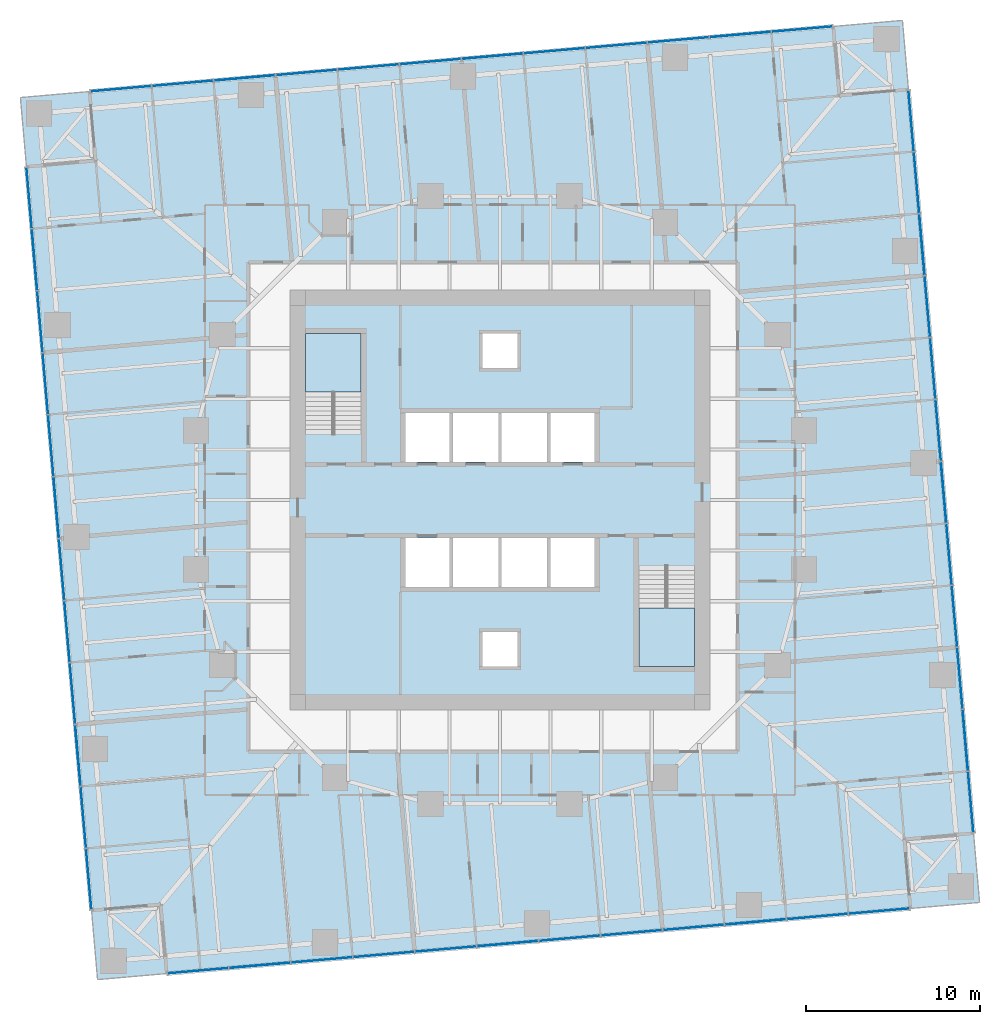
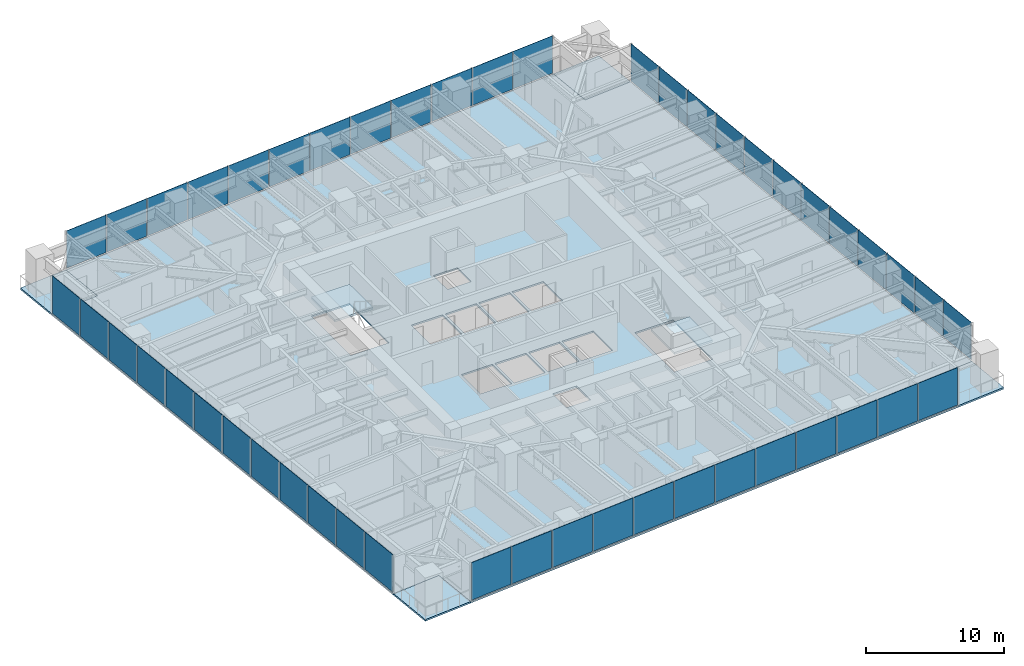
# One storey, part 7 of 14: 48 plates, 7 slabs, 6 elements without a shape of their own.
"""IFC4 building model written with IfcOpenShell, lengths in metres."""

import ifcopenshell
import ifcopenshell.guid

model = None  # the IFC model being written
_history = None  # IfcOwnerHistory: only IFC2X3 demands one
_inside = {}  # id of a spatial element -> (the spatial element, [elements in it])
_under = {}  # id of a project, library or spatial element -> (it, [spatial elements below it])
_declared = {}  # id of a project -> (the project, [libraries it declares])
_typed = {}  # id of a type object -> (the type object, [elements of that type])
_made_of = {}  # id of a material, layer set ... -> (it, [elements and type objects made of it])


def new_model(schema):
    """Start an empty IFC model of exactly this schema.

    Asked for "IFC4X3", IfcOpenShell would pick the latest addendum, in which some entities
    have other attributes; the version numbers below select the first issue.
    IFC2X3 requires an IfcOwnerHistory on every rooted entity: one is made here for all.
    """
    global model, _history
    if schema == "IFC4X3":
        model = ifcopenshell.file(schema_version=(4, 3, 0, 0))
    else:
        model = ifcopenshell.file(schema=schema)
    _inside.clear()
    _under.clear()
    _declared.clear()
    _typed.clear()
    _made_of.clear()
    _history = None
    if model.schema == "IFC2X3":
        org = make("IfcOrganization", Name="unknown")
        user = make(
            "IfcPersonAndOrganization",
            ThePerson=make("IfcPerson", FamilyName="unknown"),
            TheOrganization=org,
        )
        app = make(
            "IfcApplication",
            ApplicationDeveloper=org,
            Version="unknown",
            ApplicationFullName="unknown",
            ApplicationIdentifier="unknown",
        )
        _history = make(
            "IfcOwnerHistory",
            OwningUser=user,
            OwningApplication=app,
            ChangeAction="ADDED",
            CreationDate=0,
        )
    return model


def make(cls, **values):
    """One entity of the class cls with the attributes given. An attribute that is None is left unset."""
    return model.create_entity(
        cls, **{name: value for name, value in values.items() if value is not None}
    )


def rooted(cls, **values):
    """An entity with a GlobalId (a new one), such as an element, a storey or a relation."""
    return make(cls, GlobalId=ifcopenshell.guid.new(), OwnerHistory=_history, **values)


def si_unit(unit_type, name, prefix=None):
    """IfcSIUnit, for example si_unit("LENGTHUNIT", "METRE", prefix="MILLI")."""
    return make("IfcSIUnit", UnitType=unit_type, Prefix=prefix, Name=name)


def assignment(units):
    """IfcUnitAssignment: the units of a project."""
    return None if units is None else make("IfcUnitAssignment", Units=units)


def point(xyz):
    """IfcCartesianPoint."""
    return None if xyz is None else make("IfcCartesianPoint", Coordinates=xyz)


def direction(xyz):
    """IfcDirection."""
    return None if xyz is None else make("IfcDirection", DirectionRatios=xyz)


def frame(location, z_axis=None, x_axis=None):
    """IfcAxis2Placement3D, a coordinate frame: its origin and axes. An axis left out is left unset."""
    return make(
        "IfcAxis2Placement3D",
        Location=point(location),
        Axis=direction(z_axis),
        RefDirection=direction(x_axis),
    )


def frame_2d(location, x_axis=None):
    """IfcAxis2Placement2D, a coordinate frame in the plane: its origin and x axis."""
    return make(
        "IfcAxis2Placement2D", Location=point(location), RefDirection=direction(x_axis)
    )


def origin():
    """The frame at (0, 0, 0) with its axes left unset."""
    return frame((0.0, 0.0, 0.0))


def origin_2d():
    """The frame at (0, 0) in the plane with its x axis left unset."""
    return frame_2d((0.0, 0.0))


def place(relative_to, where):
    """IfcLocalPlacement: puts the frame where relative to a parent placement (None: the world)."""
    return make(
        "IfcLocalPlacement", PlacementRelTo=relative_to, RelativePlacement=where
    )


def context(
    kind, dimensions, precision=None, world=None, true_north=None, identifier=None
):
    """IfcGeometricRepresentationContext, for example the 3D "Model" context."""
    return make(
        "IfcGeometricRepresentationContext",
        ContextIdentifier=identifier,
        ContextType=kind,
        CoordinateSpaceDimension=dimensions,
        Precision=precision,
        WorldCoordinateSystem=world,
        TrueNorth=true_north,
    )


def subcontext(parent, identifier, kind, view, scale=None):
    """IfcGeometricRepresentationSubContext, for example "Body" below "Model"."""
    return make(
        "IfcGeometricRepresentationSubContext",
        ContextIdentifier=identifier,
        ContextType=kind,
        ParentContext=parent,
        TargetScale=scale,
        TargetView=view,
    )


def project(units=None, contexts=None):
    """IfcProject with its units and contexts."""
    return rooted(
        "IfcProject",
        Name="project",
        RepresentationContexts=contexts,
        UnitsInContext=assignment(units),
    )


def spatial(cls, under=None, at=None, **own):
    """A site, building, storey or space (cls), placed at a placement, below another one or the project."""
    s = rooted(cls, ObjectPlacement=at, **own)
    if under is not None:
        _under.setdefault(under.id(), (under, []))[1].append(s)
    return s


def polyline(points):
    """IfcPolyline through the points."""
    return make("IfcPolyline", Points=[point(p) for p in points])


def profile(cls, at=None, kind="AREA", **sizes):
    """A parametric profile (cls). Its sizes go by their IFC names, for example OverallWidth=200.0."""
    return make(cls, ProfileType=kind, Position=at, **sizes)


def rectangle(**sizes):
    """IfcRectangleProfileDef."""
    return profile("IfcRectangleProfileDef", **sizes)


def outline(outer, holes=None, kind="AREA"):
    """IfcArbitraryClosedProfileDef: a profile drawn as a closed curve; with holes, ...WithVoids."""
    if holes is None:
        return make("IfcArbitraryClosedProfileDef", ProfileType=kind, OuterCurve=outer)
    return make(
        "IfcArbitraryProfileDefWithVoids",
        ProfileType=kind,
        OuterCurve=outer,
        InnerCurves=holes,
    )


def extrude(swept, where, along, depth):
    """IfcExtrudedAreaSolid: the profile swept, set in the frame where, extruded along a direction by depth."""
    return make(
        "IfcExtrudedAreaSolid",
        SweptArea=swept,
        Position=where,
        ExtrudedDirection=direction(along),
        Depth=depth,
    )


def shape(context_of_items, identifier, shape_type, items):
    """IfcShapeRepresentation: the items that make up one representation, for example the "Body"."""
    return make(
        "IfcShapeRepresentation",
        ContextOfItems=context_of_items,
        RepresentationIdentifier=identifier,
        RepresentationType=shape_type,
        Items=items,
    )


def material(Name=None, Category=None):
    """IfcMaterial."""
    return make("IfcMaterial", Name=Name, Category=Category)


def layer(
    of_material, thickness, ventilated=None, Name=None, Category=None, Priority=None
):
    """IfcMaterialLayer: one layer of a wall or slab, of a material (None: an air gap)."""
    return make(
        "IfcMaterialLayer",
        Material=of_material,
        LayerThickness=thickness,
        IsVentilated=ventilated,
        Name=Name,
        Category=Category,
        Priority=Priority,
    )


def layer_set(layers, Name=None):
    """IfcMaterialLayerSet."""
    return make("IfcMaterialLayerSet", MaterialLayers=layers, LayerSetName=Name)


def made_of(thing, what):
    """Note that an element or type object is made of a material, layer set ...; save() writes the relation."""
    if what is not None:
        _made_of.setdefault(what.id(), (what, []))[1].append(thing)
    return thing


def type_object(cls, material=None, **own):
    """A type object (cls), such as IfcWallType, which elements share."""
    return made_of(rooted(cls, **own), material)


def element(
    cls,
    number,
    at=None,
    inside=None,
    cuts=None,
    type_object=None,
    material=None,
    context=None,
    identifier="Body",
    shape_type=None,
    held_by="IfcProductDefinitionShape",
    body=None,
    shapes=None,
    **own,
):
    """One element of the class cls, such as IfcWall. Its Tag is "e" and its number.

    at: its placement. inside: the storey or other place that contains it. cuts: it is an
    opening in that element (IfcRelVoidsElement). A single representation is given by context,
    identifier, shape_type and body (its items); several are given by shapes. held_by: the class
    of the entity that holds the representations. save() writes the other relations.
    """
    e = rooted(cls, Tag="e%d" % number, ObjectPlacement=at, **own)
    if body is not None:
        shapes = [shape(context, identifier, shape_type, body)]
    if shapes is not None:
        e.Representation = make(held_by, Representations=shapes)
    if inside is not None:
        _inside.setdefault(inside.id(), (inside, []))[1].append(e)
    if cuts is not None:
        rooted(
            "IfcRelVoidsElement", RelatingBuildingElement=cuts, RelatedOpeningElement=e
        )
    if type_object is not None:
        _typed.setdefault(type_object.id(), (type_object, []))[1].append(e)
    return made_of(e, material)


def aggregate(whole, parts):
    """IfcRelAggregates: a whole, such as a stair, and the parts it consists of."""
    return rooted("IfcRelAggregates", RelatingObject=whole, RelatedObjects=parts)


def save(model, path):
    """Write the relations noted so far, then the file.

    IfcRelAggregates (storeys below a building ...), IfcRelContainedInSpatialStructure (elements
    in a storey), IfcRelDefinesByType, IfcRelAssociatesMaterial and IfcRelDeclares: one each for
    every whole, place, type object, material and project.
    """
    for whole, parts in _under.values():
        aggregate(whole, parts)
    for where, things in _inside.values():
        rooted(
            "IfcRelContainedInSpatialStructure",
            RelatedElements=things,
            RelatingStructure=where,
        )
    for kind, things in _typed.values():
        rooted("IfcRelDefinesByType", RelatedObjects=things, RelatingType=kind)
    for what, things in _made_of.values():
        rooted("IfcRelAssociatesMaterial", RelatedObjects=things, RelatingMaterial=what)
    for by, libraries in _declared.values():
        rooted("IfcRelDeclares", RelatingContext=by, RelatedDefinitions=libraries)
    model.write(path)


model = new_model("IFC4")

# Units and contexts
model_context = context("Model", 3, precision=1e-05, world=origin(), true_north=direction((0.0, 1.0)))
body_context = subcontext(model_context, "Body", "Model", "MODEL_VIEW")
ifc_project = project(units=[si_unit("LENGTHUNIT", "METRE"), si_unit("AREAUNIT", "SQUARE_METRE"), si_unit("VOLUMEUNIT", "CUBIC_METRE"), si_unit("PLANEANGLEUNIT", "RADIAN"), si_unit("MASSUNIT", "GRAM", prefix="KILO")], contexts=[model_context])

# Site, building, storey
site_placement = place(None, origin())
site = spatial("IfcSite", under=ifc_project, at=site_placement, CompositionType="ELEMENT")
building_placement = place(site_placement, origin())
building = spatial("IfcBuilding", under=site, at=building_placement, Name="Torsade Residences", CompositionType="ELEMENT")
storey_placement = place(building_placement, frame((0.0, 0.0, 47.199951171875)))
storey = spatial("IfcBuildingStorey", under=building, at=storey_placement, Name="L12", CompositionType="ELEMENT", Elevation=47.199951171875)

# Slab
ifc_material_1 = material(Name="Concrete 40 MPa", Category="concrete")
ifc_layer_1 = layer(ifc_material_1, 0.14990234375)
ifc_layer_set_1 = layer_set([ifc_layer_1], Name="Concrete 40 MPa")
slab_type_1 = type_object("IfcSlabType", Name="COMPOSITE FLOOR SLAB 150", PredefinedType="FLOOR", material=ifc_layer_set_1)
slab_1_placement = place(storey_placement, frame((0.0, 0.0, -0.14990234375)))
element("IfcSlab", 1, at=slab_1_placement, inside=storey, type_object=slab_type_1, Name="Floor slab L12", PredefinedType="FLOOR", context=body_context, shape_type="SweptSolid", body=[
    extrude(outline(polyline([(20.80419921875, 2.72314453125), (63.640625, 6.470947265625), (63.2919921875, 10.45556640625), (67.27685546875, 10.80419921875), (63.529052734375, 53.640625), (59.54443359375, 53.2919921875), (59.19580078125, 57.27685546875), (16.359375, 53.529052734375), (16.7080078125, 49.54443359375), (12.72314453125, 49.19580078125), (16.470947265625, 6.359375), (20.45556640625, 6.7080078125), (20.80419921875, 2.72314453125)]), holes=[polyline([(51.199951171875, 20.39990234375), (51.199951171875, 26.1201171875), (48.0, 26.1201171875), (48.0, 20.39990234375), (51.199951171875, 20.39990234375)]), polyline([(45.5, 27.800048828125), (42.89990234375, 27.800048828125), (42.89990234375, 25.0), (45.5, 25.0), (45.5, 27.800048828125)]), polyline([(45.5, 32.199951171875), (45.5, 35.0), (42.89990234375, 35.0), (42.89990234375, 32.199951171875), (45.5, 32.199951171875)]), polyline([(42.699951171875, 25.0), (42.699951171875, 27.800048828125), (40.10009765625, 27.800048828125), (40.10009765625, 25.0), (42.699951171875, 25.0)]), polyline([(42.699951171875, 32.199951171875), (42.699951171875, 35.0), (40.10009765625, 35.0), (40.10009765625, 32.199951171875), (42.699951171875, 32.199951171875)]), polyline([(41.0, 22.39990234375), (39.0, 22.39990234375), (39.0, 20.39990234375), (41.0, 20.39990234375), (41.0, 22.39990234375)]), polyline([(41.0, 37.60009765625), (41.0, 39.60009765625), (39.0, 39.60009765625), (39.0, 37.60009765625), (41.0, 37.60009765625)]), polyline([(39.89990234375, 25.0), (39.89990234375, 27.800048828125), (37.300048828125, 27.800048828125), (37.300048828125, 25.0), (39.89990234375, 25.0)]), polyline([(39.89990234375, 35.0), (37.300048828125, 35.0), (37.300048828125, 32.199951171875), (39.89990234375, 32.199951171875), (39.89990234375, 35.0)]), polyline([(37.10009765625, 27.800048828125), (34.5, 27.800048828125), (34.5, 25.0), (37.10009765625, 25.0), (37.10009765625, 27.800048828125)]), polyline([(37.10009765625, 32.199951171875), (37.10009765625, 35.0), (34.5, 35.0), (34.5, 32.199951171875), (37.10009765625, 32.199951171875)]), polyline([(32.0, 33.8798828125), (32.0, 39.60009765625), (28.800048828125, 39.60009765625), (28.800048828125, 33.8798828125), (32.0, 33.8798828125)])]), origin(), (0.0, 0.0, 1.0), 0.14990234375),
])

# Curtain wall, plates
ifc_material_2 = material(Name="Aluminium and glass", Category="aluminium")
curtain_wall_type = type_object("IfcCurtainWallType", Name="FRITTED GLASS CURTAIN WALL LOW ZONE", PredefinedType="NOTDEFINED", material=ifc_material_2)
curtain_wall_1_placement = place(storey_placement, origin())
curtain_wall_1 = element("IfcCurtainWall", 2, at=curtain_wall_1_placement, inside=storey, type_object=curtain_wall_type, Name="Curtain wall L12 face 1", PredefinedType="NOTDEFINED")
ifc_material_3 = material(Name="Laminated glass", Category="glass")
ifc_layer_2 = layer(ifc_material_3, 0.031982421875)
ifc_layer_set_2 = layer_set([ifc_layer_2], Name="Laminated glass")
plate_type_1 = type_object("IfcPlateType", Name="FRITTED GLASS PANEL", PredefinedType="CURTAIN_PANEL", material=ifc_layer_set_2)
plate_1_placement = place(storey_placement, frame((22.605224609375, 2.880859375, 0.10009765625), z_axis=(0.0, 0.0, 1.0), x_axis=(0.996194697964, 0.087155744208, 0.0)))
plate_1 = element("IfcPlate", 3, at=plate_1_placement, type_object=plate_type_1, Name="Panel 1", PredefinedType="CURTAIN_PANEL", context=body_context, shape_type="SweptSolid", body=[
    extrude(rectangle(XDim=3.48583984375, YDim=0.031982421875, at=origin_2d()), origin(), (0.0, 0.0, 1.0), 3.300048828125),
])
plate_2_placement = place(storey_placement, frame((29.728515625, 3.50390625, 0.10009765625), z_axis=(0.0, 0.0, 1.0), x_axis=(0.996194697964, 0.087155744208, 0.0)))
plate_2 = element("IfcPlate", 4, at=plate_2_placement, type_object=plate_type_1, Name="Panel 3", PredefinedType="CURTAIN_PANEL", context=body_context, shape_type="SweptSolid", body=[
    extrude(rectangle(XDim=3.518310546875, YDim=0.031982421875, at=origin_2d()), origin(), (0.0, 0.0, 1.0), 3.300048828125),
])
plate_3_placement = place(storey_placement, frame((33.29833984375, 3.816162109375, 0.10009765625), z_axis=(0.0, 0.0, 1.0), x_axis=(0.996194697964, 0.087155744208, 0.0)))
plate_3 = element("IfcPlate", 5, at=plate_3_placement, type_object=plate_type_1, Name="Panel 4", PredefinedType="CURTAIN_PANEL", context=body_context, shape_type="SweptSolid", body=[
    extrude(rectangle(XDim=3.518310546875, YDim=0.031982421875, at=origin_2d()), origin(), (0.0, 0.0, 1.0), 3.300048828125),
])
plate_4_placement = place(storey_placement, frame((36.867919921875, 4.128662109375, 0.10009765625), z_axis=(0.0, 0.0, 1.0), x_axis=(0.996194697964, 0.087155744208, 0.0)))
plate_4 = element("IfcPlate", 6, at=plate_4_placement, type_object=plate_type_1, Name="Panel 5", PredefinedType="CURTAIN_PANEL", context=body_context, shape_type="SweptSolid", body=[
    extrude(rectangle(XDim=3.518310546875, YDim=0.031982421875, at=origin_2d()), origin(), (0.0, 0.0, 1.0), 3.300048828125),
])
plate_5_placement = place(storey_placement, frame((44.00732421875, 4.753173828125, 0.10009765625), z_axis=(0.0, 0.0, 1.0), x_axis=(0.996194697964, 0.087155744208, 0.0)))
plate_5 = element("IfcPlate", 7, at=plate_5_placement, type_object=plate_type_1, Name="Panel 7", PredefinedType="CURTAIN_PANEL", context=body_context, shape_type="SweptSolid", body=[
    extrude(rectangle(XDim=3.518310546875, YDim=0.031982421875, at=origin_2d()), origin(), (0.0, 0.0, 1.0), 3.300048828125),
])
plate_6_placement = place(storey_placement, frame((47.576904296875, 5.0654296875, 0.10009765625), z_axis=(0.0, 0.0, 1.0), x_axis=(0.996194697964, 0.087155744208, 0.0)))
plate_6 = element("IfcPlate", 8, at=plate_6_placement, type_object=plate_type_1, Name="Panel 8", PredefinedType="CURTAIN_PANEL", context=body_context, shape_type="SweptSolid", body=[
    extrude(rectangle(XDim=3.518310546875, YDim=0.031982421875, at=origin_2d()), origin(), (0.0, 0.0, 1.0), 3.300048828125),
])
plate_7_placement = place(storey_placement, frame((51.146728515625, 5.377685546875, 0.10009765625), z_axis=(0.0, 0.0, 1.0), x_axis=(0.996194697964, 0.087155744208, 0.0)))
plate_7 = element("IfcPlate", 9, at=plate_7_placement, type_object=plate_type_1, Name="Panel 9", PredefinedType="CURTAIN_PANEL", context=body_context, shape_type="SweptSolid", body=[
    extrude(rectangle(XDim=3.518310546875, YDim=0.031982421875, at=origin_2d()), origin(), (0.0, 0.0, 1.0), 3.300048828125),
])
plate_8_placement = place(storey_placement, frame((58.2861328125, 6.00244140625, 0.10009765625), z_axis=(0.0, 0.0, 1.0), x_axis=(0.996194697964, 0.087155744208, 0.0)))
plate_8 = element("IfcPlate", 10, at=plate_8_placement, type_object=plate_type_1, Name="Panel 11", PredefinedType="CURTAIN_PANEL", context=body_context, shape_type="SweptSolid", body=[
    extrude(rectangle(XDim=3.518310546875, YDim=0.031982421875, at=origin_2d()), origin(), (0.0, 0.0, 1.0), 3.300048828125),
])
plate_9_placement = place(storey_placement, frame((61.839599609375, 6.313232421875, 0.10009765625), z_axis=(0.0, 0.0, 1.0), x_axis=(0.996194697964, 0.087155744208, 0.0)))
plate_9 = element("IfcPlate", 11, at=plate_9_placement, type_object=plate_type_1, Name="Panel 12", PredefinedType="CURTAIN_PANEL", context=body_context, shape_type="SweptSolid", body=[
    extrude(rectangle(XDim=3.48583984375, YDim=0.031982421875, at=origin_2d()), origin(), (0.0, 0.0, 1.0), 3.300048828125),
])

curtain_wall_2_placement = place(storey_placement, origin())
curtain_wall_2 = element("IfcCurtainWall", 12, at=curtain_wall_2_placement, inside=storey, type_object=curtain_wall_type, Name="Curtain wall L12 face 4", PredefinedType="NOTDEFINED")
plate_10_placement = place(storey_placement, frame((67.119140625, 12.605224609375, 0.10009765625), z_axis=(0.0, 0.0, 1.0), x_axis=(-0.087155744208, 0.996194697964, 0.0)))
plate_10 = element("IfcPlate", 13, at=plate_10_placement, type_object=plate_type_1, Name="Panel 1", PredefinedType="CURTAIN_PANEL", context=body_context, shape_type="SweptSolid", body=[
    extrude(rectangle(XDim=3.48583984375, YDim=0.031982421875, at=origin_2d()), origin(), (0.0, 0.0, 1.0), 3.300048828125),
])
plate_11_placement = place(storey_placement, frame((66.49609375, 19.728515625, 0.10009765625), z_axis=(0.0, 0.0, 1.0), x_axis=(-0.087155744208, 0.996194697964, 0.0)))
plate_11 = element("IfcPlate", 14, at=plate_11_placement, type_object=plate_type_1, Name="Panel 3", PredefinedType="CURTAIN_PANEL", context=body_context, shape_type="SweptSolid", body=[
    extrude(rectangle(XDim=3.518310546875, YDim=0.031982421875, at=origin_2d()), origin(), (0.0, 0.0, 1.0), 3.300048828125),
])
plate_12_placement = place(storey_placement, frame((66.183837890625, 23.29833984375, 0.10009765625), z_axis=(0.0, 0.0, 1.0), x_axis=(-0.087155744208, 0.996194697964, 0.0)))
plate_12 = element("IfcPlate", 15, at=plate_12_placement, type_object=plate_type_1, Name="Panel 4", PredefinedType="CURTAIN_PANEL", context=body_context, shape_type="SweptSolid", body=[
    extrude(rectangle(XDim=3.518310546875, YDim=0.031982421875, at=origin_2d()), origin(), (0.0, 0.0, 1.0), 3.300048828125),
])
plate_13_placement = place(storey_placement, frame((65.871337890625, 26.867919921875, 0.10009765625), z_axis=(0.0, 0.0, 1.0), x_axis=(-0.087155744208, 0.996194697964, 0.0)))
plate_13 = element("IfcPlate", 16, at=plate_13_placement, type_object=plate_type_1, Name="Panel 5", PredefinedType="CURTAIN_PANEL", context=body_context, shape_type="SweptSolid", body=[
    extrude(rectangle(XDim=3.518310546875, YDim=0.031982421875, at=origin_2d()), origin(), (0.0, 0.0, 1.0), 3.300048828125),
])
plate_14_placement = place(storey_placement, frame((65.246826171875, 34.00732421875, 0.10009765625), z_axis=(0.0, 0.0, 1.0), x_axis=(-0.087155744208, 0.996194697964, 0.0)))
plate_14 = element("IfcPlate", 17, at=plate_14_placement, type_object=plate_type_1, Name="Panel 7", PredefinedType="CURTAIN_PANEL", context=body_context, shape_type="SweptSolid", body=[
    extrude(rectangle(XDim=3.518310546875, YDim=0.031982421875, at=origin_2d()), origin(), (0.0, 0.0, 1.0), 3.300048828125),
])
plate_15_placement = place(storey_placement, frame((64.9345703125, 37.576904296875, 0.10009765625), z_axis=(0.0, 0.0, 1.0), x_axis=(-0.087155744208, 0.996194697964, 0.0)))
plate_15 = element("IfcPlate", 18, at=plate_15_placement, type_object=plate_type_1, Name="Panel 8", PredefinedType="CURTAIN_PANEL", context=body_context, shape_type="SweptSolid", body=[
    extrude(rectangle(XDim=3.518310546875, YDim=0.031982421875, at=origin_2d()), origin(), (0.0, 0.0, 1.0), 3.300048828125),
])
plate_16_placement = place(storey_placement, frame((64.622314453125, 41.146728515625, 0.10009765625), z_axis=(0.0, 0.0, 1.0), x_axis=(-0.087155744208, 0.996194697964, 0.0)))
plate_16 = element("IfcPlate", 19, at=plate_16_placement, type_object=plate_type_1, Name="Panel 9", PredefinedType="CURTAIN_PANEL", context=body_context, shape_type="SweptSolid", body=[
    extrude(rectangle(XDim=3.518310546875, YDim=0.031982421875, at=origin_2d()), origin(), (0.0, 0.0, 1.0), 3.300048828125),
])
plate_17_placement = place(storey_placement, frame((63.99755859375, 48.2861328125, 0.10009765625), z_axis=(0.0, 0.0, 1.0), x_axis=(-0.087155744208, 0.996194697964, 0.0)))
plate_17 = element("IfcPlate", 20, at=plate_17_placement, type_object=plate_type_1, Name="Panel 11", PredefinedType="CURTAIN_PANEL", context=body_context, shape_type="SweptSolid", body=[
    extrude(rectangle(XDim=3.518310546875, YDim=0.031982421875, at=origin_2d()), origin(), (0.0, 0.0, 1.0), 3.300048828125),
])
plate_18_placement = place(storey_placement, frame((63.686767578125, 51.839599609375, 0.10009765625), z_axis=(0.0, 0.0, 1.0), x_axis=(-0.087155744208, 0.996194697964, 0.0)))
plate_18 = element("IfcPlate", 21, at=plate_18_placement, type_object=plate_type_1, Name="Panel 12", PredefinedType="CURTAIN_PANEL", context=body_context, shape_type="SweptSolid", body=[
    extrude(rectangle(XDim=3.48583984375, YDim=0.031982421875, at=origin_2d()), origin(), (0.0, 0.0, 1.0), 3.300048828125),
])

curtain_wall_3_placement = place(storey_placement, origin())
curtain_wall_3 = element("IfcCurtainWall", 22, at=curtain_wall_3_placement, inside=storey, type_object=curtain_wall_type, Name="Curtain wall L12 face 7", PredefinedType="NOTDEFINED")
plate_19_placement = place(storey_placement, frame((57.394775390625, 57.119140625, 0.10009765625), z_axis=(0.0, 0.0, 1.0), x_axis=(-0.996194697964, -0.087155744208, 0.0)))
plate_19 = element("IfcPlate", 23, at=plate_19_placement, type_object=plate_type_1, Name="Panel 1", PredefinedType="CURTAIN_PANEL", context=body_context, shape_type="SweptSolid", body=[
    extrude(rectangle(XDim=3.48583984375, YDim=0.031982421875, at=origin_2d()), origin(), (0.0, 0.0, 1.0), 3.300048828125),
])
plate_20_placement = place(storey_placement, frame((50.271484375, 56.49609375, 0.10009765625), z_axis=(0.0, 0.0, 1.0), x_axis=(-0.996194697964, -0.087155744208, 0.0)))
plate_20 = element("IfcPlate", 24, at=plate_20_placement, type_object=plate_type_1, Name="Panel 3", PredefinedType="CURTAIN_PANEL", context=body_context, shape_type="SweptSolid", body=[
    extrude(rectangle(XDim=3.518310546875, YDim=0.031982421875, at=origin_2d()), origin(), (0.0, 0.0, 1.0), 3.300048828125),
])
plate_21_placement = place(storey_placement, frame((46.70166015625, 56.183837890625, 0.10009765625), z_axis=(0.0, 0.0, 1.0), x_axis=(-0.996194697964, -0.087155744208, 0.0)))
plate_21 = element("IfcPlate", 25, at=plate_21_placement, type_object=plate_type_1, Name="Panel 4", PredefinedType="CURTAIN_PANEL", context=body_context, shape_type="SweptSolid", body=[
    extrude(rectangle(XDim=3.518310546875, YDim=0.031982421875, at=origin_2d()), origin(), (0.0, 0.0, 1.0), 3.300048828125),
])
plate_22_placement = place(storey_placement, frame((43.132080078125, 55.871337890625, 0.10009765625), z_axis=(0.0, 0.0, 1.0), x_axis=(-0.996194697964, -0.087155744208, 0.0)))
plate_22 = element("IfcPlate", 26, at=plate_22_placement, type_object=plate_type_1, Name="Panel 5", PredefinedType="CURTAIN_PANEL", context=body_context, shape_type="SweptSolid", body=[
    extrude(rectangle(XDim=3.518310546875, YDim=0.031982421875, at=origin_2d()), origin(), (0.0, 0.0, 1.0), 3.300048828125),
])
plate_23_placement = place(storey_placement, frame((35.99267578125, 55.246826171875, 0.10009765625), z_axis=(0.0, 0.0, 1.0), x_axis=(-0.996194697964, -0.087155744208, 0.0)))
plate_23 = element("IfcPlate", 27, at=plate_23_placement, type_object=plate_type_1, Name="Panel 7", PredefinedType="CURTAIN_PANEL", context=body_context, shape_type="SweptSolid", body=[
    extrude(rectangle(XDim=3.518310546875, YDim=0.031982421875, at=origin_2d()), origin(), (0.0, 0.0, 1.0), 3.300048828125),
])
plate_24_placement = place(storey_placement, frame((32.423095703125, 54.9345703125, 0.10009765625), z_axis=(0.0, 0.0, 1.0), x_axis=(-0.996194697964, -0.087155744208, 0.0)))
plate_24 = element("IfcPlate", 28, at=plate_24_placement, type_object=plate_type_1, Name="Panel 8", PredefinedType="CURTAIN_PANEL", context=body_context, shape_type="SweptSolid", body=[
    extrude(rectangle(XDim=3.518310546875, YDim=0.031982421875, at=origin_2d()), origin(), (0.0, 0.0, 1.0), 3.300048828125),
])
plate_25_placement = place(storey_placement, frame((28.853271484375, 54.622314453125, 0.10009765625), z_axis=(0.0, 0.0, 1.0), x_axis=(-0.996194697964, -0.087155744208, 0.0)))
plate_25 = element("IfcPlate", 29, at=plate_25_placement, type_object=plate_type_1, Name="Panel 9", PredefinedType="CURTAIN_PANEL", context=body_context, shape_type="SweptSolid", body=[
    extrude(rectangle(XDim=3.518310546875, YDim=0.031982421875, at=origin_2d()), origin(), (0.0, 0.0, 1.0), 3.300048828125),
])
plate_26_placement = place(storey_placement, frame((21.7138671875, 53.99755859375, 0.10009765625), z_axis=(0.0, 0.0, 1.0), x_axis=(-0.996194697964, -0.087155744208, 0.0)))
plate_26 = element("IfcPlate", 30, at=plate_26_placement, type_object=plate_type_1, Name="Panel 11", PredefinedType="CURTAIN_PANEL", context=body_context, shape_type="SweptSolid", body=[
    extrude(rectangle(XDim=3.518310546875, YDim=0.031982421875, at=origin_2d()), origin(), (0.0, 0.0, 1.0), 3.300048828125),
])
plate_27_placement = place(storey_placement, frame((18.160400390625, 53.686767578125, 0.10009765625), z_axis=(0.0, 0.0, 1.0), x_axis=(-0.996194697964, -0.087155744208, 0.0)))
plate_27 = element("IfcPlate", 31, at=plate_27_placement, type_object=plate_type_1, Name="Panel 12", PredefinedType="CURTAIN_PANEL", context=body_context, shape_type="SweptSolid", body=[
    extrude(rectangle(XDim=3.48583984375, YDim=0.031982421875, at=origin_2d()), origin(), (0.0, 0.0, 1.0), 3.300048828125),
])

curtain_wall_4_placement = place(storey_placement, origin())
curtain_wall_4 = element("IfcCurtainWall", 32, at=curtain_wall_4_placement, inside=storey, type_object=curtain_wall_type, Name="Curtain wall L12 face 10", PredefinedType="NOTDEFINED")
plate_28_placement = place(storey_placement, frame((12.880859375, 47.394775390625, 0.10009765625), z_axis=(0.0, 0.0, 1.0), x_axis=(0.087155744208, -0.996194697964, 0.0)))
plate_28 = element("IfcPlate", 33, at=plate_28_placement, type_object=plate_type_1, Name="Panel 1", PredefinedType="CURTAIN_PANEL", context=body_context, shape_type="SweptSolid", body=[
    extrude(rectangle(XDim=3.48583984375, YDim=0.031982421875, at=origin_2d()), origin(), (0.0, 0.0, 1.0), 3.300048828125),
])
plate_29_placement = place(storey_placement, frame((13.50390625, 40.271484375, 0.10009765625), z_axis=(0.0, 0.0, 1.0), x_axis=(0.087155744208, -0.996194697964, 0.0)))
plate_29 = element("IfcPlate", 34, at=plate_29_placement, type_object=plate_type_1, Name="Panel 3", PredefinedType="CURTAIN_PANEL", context=body_context, shape_type="SweptSolid", body=[
    extrude(rectangle(XDim=3.518310546875, YDim=0.031982421875, at=origin_2d()), origin(), (0.0, 0.0, 1.0), 3.300048828125),
])
plate_30_placement = place(storey_placement, frame((13.816162109375, 36.70166015625, 0.10009765625), z_axis=(0.0, 0.0, 1.0), x_axis=(0.087155744208, -0.996194697964, 0.0)))
plate_30 = element("IfcPlate", 35, at=plate_30_placement, type_object=plate_type_1, Name="Panel 4", PredefinedType="CURTAIN_PANEL", context=body_context, shape_type="SweptSolid", body=[
    extrude(rectangle(XDim=3.518310546875, YDim=0.031982421875, at=origin_2d()), origin(), (0.0, 0.0, 1.0), 3.300048828125),
])
plate_31_placement = place(storey_placement, frame((14.128662109375, 33.132080078125, 0.10009765625), z_axis=(0.0, 0.0, 1.0), x_axis=(0.087155744208, -0.996194697964, 0.0)))
plate_31 = element("IfcPlate", 36, at=plate_31_placement, type_object=plate_type_1, Name="Panel 5", PredefinedType="CURTAIN_PANEL", context=body_context, shape_type="SweptSolid", body=[
    extrude(rectangle(XDim=3.518310546875, YDim=0.031982421875, at=origin_2d()), origin(), (0.0, 0.0, 1.0), 3.300048828125),
])
plate_32_placement = place(storey_placement, frame((14.753173828125, 25.99267578125, 0.10009765625), z_axis=(0.0, 0.0, 1.0), x_axis=(0.087155744208, -0.996194697964, 0.0)))
plate_32 = element("IfcPlate", 37, at=plate_32_placement, type_object=plate_type_1, Name="Panel 7", PredefinedType="CURTAIN_PANEL", context=body_context, shape_type="SweptSolid", body=[
    extrude(rectangle(XDim=3.518310546875, YDim=0.031982421875, at=origin_2d()), origin(), (0.0, 0.0, 1.0), 3.300048828125),
])
plate_33_placement = place(storey_placement, frame((15.0654296875, 22.423095703125, 0.10009765625), z_axis=(0.0, 0.0, 1.0), x_axis=(0.087155744208, -0.996194697964, 0.0)))
plate_33 = element("IfcPlate", 38, at=plate_33_placement, type_object=plate_type_1, Name="Panel 8", PredefinedType="CURTAIN_PANEL", context=body_context, shape_type="SweptSolid", body=[
    extrude(rectangle(XDim=3.518310546875, YDim=0.031982421875, at=origin_2d()), origin(), (0.0, 0.0, 1.0), 3.300048828125),
])
plate_34_placement = place(storey_placement, frame((15.377685546875, 18.853271484375, 0.10009765625), z_axis=(0.0, 0.0, 1.0), x_axis=(0.087155744208, -0.996194697964, 0.0)))
plate_34 = element("IfcPlate", 39, at=plate_34_placement, type_object=plate_type_1, Name="Panel 9", PredefinedType="CURTAIN_PANEL", context=body_context, shape_type="SweptSolid", body=[
    extrude(rectangle(XDim=3.518310546875, YDim=0.031982421875, at=origin_2d()), origin(), (0.0, 0.0, 1.0), 3.300048828125),
])
plate_35_placement = place(storey_placement, frame((16.00244140625, 11.7138671875, 0.10009765625), z_axis=(0.0, 0.0, 1.0), x_axis=(0.087155744208, -0.996194697964, 0.0)))
plate_35 = element("IfcPlate", 40, at=plate_35_placement, type_object=plate_type_1, Name="Panel 11", PredefinedType="CURTAIN_PANEL", context=body_context, shape_type="SweptSolid", body=[
    extrude(rectangle(XDim=3.518310546875, YDim=0.031982421875, at=origin_2d()), origin(), (0.0, 0.0, 1.0), 3.300048828125),
])
plate_36_placement = place(storey_placement, frame((16.313232421875, 8.160400390625, 0.10009765625), z_axis=(0.0, 0.0, 1.0), x_axis=(0.087155744208, -0.996194697964, 0.0)))
plate_36 = element("IfcPlate", 41, at=plate_36_placement, type_object=plate_type_1, Name="Panel 12", PredefinedType="CURTAIN_PANEL", context=body_context, shape_type="SweptSolid", body=[
    extrude(rectangle(XDim=3.48583984375, YDim=0.031982421875, at=origin_2d()), origin(), (0.0, 0.0, 1.0), 3.300048828125),
])

# Plate
ifc_material_4 = material(Name="Laminated glass", Category="glass")
ifc_layer_3 = layer(ifc_material_4, 0.0400390625)
ifc_layer_set_3 = layer_set([ifc_layer_3], Name="Laminated glass")
plate_type_2 = type_object("IfcPlateType", Name="OPERABLE VENT PANEL", PredefinedType="CURTAIN_PANEL", material=ifc_layer_set_3)
plate_37_placement = place(storey_placement, frame((26.158935546875, 3.191650390625, 0.10009765625), z_axis=(0.0, 0.0, 1.0), x_axis=(0.996194697964, 0.087155744208, 0.0)))
plate_37 = element("IfcPlate", 42, at=plate_37_placement, type_object=plate_type_2, Name="Panel 2", PredefinedType="CURTAIN_PANEL", context=body_context, shape_type="SweptSolid", body=[
    extrude(rectangle(XDim=3.518310546875, YDim=0.0400390625, at=origin_2d()), origin(), (0.0, 0.0, 1.0), 3.300048828125),
])

plate_38_placement = place(storey_placement, frame((40.437744140625, 4.44091796875, 0.10009765625), z_axis=(0.0, 0.0, 1.0), x_axis=(0.996194697964, 0.087155744208, 0.0)))
plate_38 = element("IfcPlate", 43, at=plate_38_placement, type_object=plate_type_2, Name="Panel 6", PredefinedType="CURTAIN_PANEL", context=body_context, shape_type="SweptSolid", body=[
    extrude(rectangle(XDim=3.518310546875, YDim=0.0400390625, at=origin_2d()), origin(), (0.0, 0.0, 1.0), 3.300048828125),
])

plate_39_placement = place(storey_placement, frame((54.71630859375, 5.690185546875, 0.10009765625), z_axis=(0.0, 0.0, 1.0), x_axis=(0.996194697964, 0.087155744208, 0.0)))
plate_39 = element("IfcPlate", 44, at=plate_39_placement, type_object=plate_type_2, Name="Panel 10", PredefinedType="CURTAIN_PANEL", context=body_context, shape_type="SweptSolid", body=[
    extrude(rectangle(XDim=3.518310546875, YDim=0.0400390625, at=origin_2d()), origin(), (0.0, 0.0, 1.0), 3.300048828125),
])

aggregate(curtain_wall_1, [plate_1, plate_37, plate_2, plate_3, plate_4, plate_38, plate_5, plate_6, plate_7, plate_39, plate_8, plate_9])

plate_40_placement = place(storey_placement, frame((66.808349609375, 16.158935546875, 0.10009765625), z_axis=(0.0, 0.0, 1.0), x_axis=(-0.087155744208, 0.996194697964, 0.0)))
plate_40 = element("IfcPlate", 45, at=plate_40_placement, type_object=plate_type_2, Name="Panel 2", PredefinedType="CURTAIN_PANEL", context=body_context, shape_type="SweptSolid", body=[
    extrude(rectangle(XDim=3.518310546875, YDim=0.0400390625, at=origin_2d()), origin(), (0.0, 0.0, 1.0), 3.300048828125),
])

plate_41_placement = place(storey_placement, frame((65.55908203125, 30.437744140625, 0.10009765625), z_axis=(0.0, 0.0, 1.0), x_axis=(-0.087155744208, 0.996194697964, 0.0)))
plate_41 = element("IfcPlate", 46, at=plate_41_placement, type_object=plate_type_2, Name="Panel 6", PredefinedType="CURTAIN_PANEL", context=body_context, shape_type="SweptSolid", body=[
    extrude(rectangle(XDim=3.518310546875, YDim=0.0400390625, at=origin_2d()), origin(), (0.0, 0.0, 1.0), 3.300048828125),
])

plate_42_placement = place(storey_placement, frame((64.309814453125, 44.71630859375, 0.10009765625), z_axis=(0.0, 0.0, 1.0), x_axis=(-0.087155744208, 0.996194697964, 0.0)))
plate_42 = element("IfcPlate", 47, at=plate_42_placement, type_object=plate_type_2, Name="Panel 10", PredefinedType="CURTAIN_PANEL", context=body_context, shape_type="SweptSolid", body=[
    extrude(rectangle(XDim=3.518310546875, YDim=0.0400390625, at=origin_2d()), origin(), (0.0, 0.0, 1.0), 3.300048828125),
])

aggregate(curtain_wall_2, [plate_10, plate_40, plate_11, plate_12, plate_13, plate_41, plate_14, plate_15, plate_16, plate_42, plate_17, plate_18])

plate_43_placement = place(storey_placement, frame((53.841064453125, 56.808349609375, 0.10009765625), z_axis=(0.0, 0.0, 1.0), x_axis=(-0.996194697964, -0.087155744208, 0.0)))
plate_43 = element("IfcPlate", 48, at=plate_43_placement, type_object=plate_type_2, Name="Panel 2", PredefinedType="CURTAIN_PANEL", context=body_context, shape_type="SweptSolid", body=[
    extrude(rectangle(XDim=3.518310546875, YDim=0.0400390625, at=origin_2d()), origin(), (0.0, 0.0, 1.0), 3.300048828125),
])

plate_44_placement = place(storey_placement, frame((39.562255859375, 55.55908203125, 0.10009765625), z_axis=(0.0, 0.0, 1.0), x_axis=(-0.996194697964, -0.087155744208, 0.0)))
plate_44 = element("IfcPlate", 49, at=plate_44_placement, type_object=plate_type_2, Name="Panel 6", PredefinedType="CURTAIN_PANEL", context=body_context, shape_type="SweptSolid", body=[
    extrude(rectangle(XDim=3.518310546875, YDim=0.0400390625, at=origin_2d()), origin(), (0.0, 0.0, 1.0), 3.300048828125),
])

plate_45_placement = place(storey_placement, frame((25.28369140625, 54.309814453125, 0.10009765625), z_axis=(0.0, 0.0, 1.0), x_axis=(-0.996194697964, -0.087155744208, 0.0)))
plate_45 = element("IfcPlate", 50, at=plate_45_placement, type_object=plate_type_2, Name="Panel 10", PredefinedType="CURTAIN_PANEL", context=body_context, shape_type="SweptSolid", body=[
    extrude(rectangle(XDim=3.518310546875, YDim=0.0400390625, at=origin_2d()), origin(), (0.0, 0.0, 1.0), 3.300048828125),
])

aggregate(curtain_wall_3, [plate_19, plate_43, plate_20, plate_21, plate_22, plate_44, plate_23, plate_24, plate_25, plate_45, plate_26, plate_27])

plate_46_placement = place(storey_placement, frame((13.191650390625, 43.841064453125, 0.10009765625), z_axis=(0.0, 0.0, 1.0), x_axis=(0.087155744208, -0.996194697964, 0.0)))
plate_46 = element("IfcPlate", 51, at=plate_46_placement, type_object=plate_type_2, Name="Panel 2", PredefinedType="CURTAIN_PANEL", context=body_context, shape_type="SweptSolid", body=[
    extrude(rectangle(XDim=3.518310546875, YDim=0.0400390625, at=origin_2d()), origin(), (0.0, 0.0, 1.0), 3.300048828125),
])

plate_47_placement = place(storey_placement, frame((14.44091796875, 29.562255859375, 0.10009765625), z_axis=(0.0, 0.0, 1.0), x_axis=(0.087155744208, -0.996194697964, 0.0)))
plate_47 = element("IfcPlate", 52, at=plate_47_placement, type_object=plate_type_2, Name="Panel 6", PredefinedType="CURTAIN_PANEL", context=body_context, shape_type="SweptSolid", body=[
    extrude(rectangle(XDim=3.518310546875, YDim=0.0400390625, at=origin_2d()), origin(), (0.0, 0.0, 1.0), 3.300048828125),
])

plate_48_placement = place(storey_placement, frame((15.690185546875, 15.28369140625, 0.10009765625), z_axis=(0.0, 0.0, 1.0), x_axis=(0.087155744208, -0.996194697964, 0.0)))
plate_48 = element("IfcPlate", 53, at=plate_48_placement, type_object=plate_type_2, Name="Panel 10", PredefinedType="CURTAIN_PANEL", context=body_context, shape_type="SweptSolid", body=[
    extrude(rectangle(XDim=3.518310546875, YDim=0.0400390625, at=origin_2d()), origin(), (0.0, 0.0, 1.0), 3.300048828125),
])

aggregate(curtain_wall_4, [plate_28, plate_46, plate_29, plate_30, plate_31, plate_47, plate_32, plate_33, plate_34, plate_48, plate_35, plate_36])

# Stair, slab
ifc_material_5 = material(Name="Precast concrete 40 MPa", Category="concrete")
stair_type = type_object("IfcStairType", Name="HALF-TURN FIRE STAIR 1500x3400", PredefinedType="HALF_TURN_STAIR", material=ifc_material_5)
stair_1_placement = place(storey_placement, origin())
stair_1 = element("IfcStair", 54, at=stair_1_placement, inside=storey, type_object=stair_type, Name="Stair ST1 L12", PredefinedType="HALF_TURN_STAIR")
ifc_material_6 = material(Name="Precast concrete 40 MPa", Category="concrete")
ifc_layer_4 = layer(ifc_material_6, 0.179931640625)
ifc_layer_set_4 = layer_set([ifc_layer_4], Name="Precast concrete 40 MPa")
slab_type_2 = type_object("IfcSlabType", Name="PRECAST STAIR LANDING 180", PredefinedType="LANDING", material=ifc_layer_set_4)
slab_2_placement = place(storey_placement, frame((0.0, 0.0, 1.52001953125)))
slab_2 = element("IfcSlab", 55, at=slab_2_placement, type_object=slab_type_2, Name="ST1 landing 1", PredefinedType="LANDING", context=body_context, shape_type="SweptSolid", body=[
    extrude(outline(polyline([(28.800048828125, 36.2099609375), (32.0, 36.2099609375), (32.0, 39.60009765625), (28.800048828125, 39.60009765625), (28.800048828125, 36.2099609375)])), origin(), (0.0, 0.0, 1.0), 0.179931640625),
])
aggregate(stair_1, [slab_2])

stair_2_placement = place(storey_placement, origin())
stair_2 = element("IfcStair", 56, at=stair_2_placement, inside=storey, type_object=stair_type, Name="Stair ST2 L12", PredefinedType="HALF_TURN_STAIR")
slab_3_placement = place(storey_placement, frame((0.0, 0.0, 1.52001953125)))
slab_3 = element("IfcSlab", 57, at=slab_3_placement, type_object=slab_type_2, Name="ST2 landing 1", PredefinedType="LANDING", context=body_context, shape_type="SweptSolid", body=[
    extrude(outline(polyline([(48.0, 20.39990234375), (51.199951171875, 20.39990234375), (51.199951171875, 23.7900390625), (48.0, 23.7900390625), (48.0, 20.39990234375)])), origin(), (0.0, 0.0, 1.0), 0.179931640625),
])
aggregate(stair_2, [slab_3])

# Slabs
ifc_material_7 = material(Name="Concrete 40 MPa", Category="concrete")
ifc_layer_5 = layer(ifc_material_7, 0.14990234375)
ifc_layer_set_5 = layer_set([ifc_layer_5], Name="Concrete 40 MPa")
slab_type_3 = type_object("IfcSlabType", Name="TERRACE SLAB 150", PredefinedType="FLOOR", material=ifc_layer_set_5)
slab_4_placement = place(storey_placement, frame((0.0, 0.0, -0.14990234375)))
element("IfcSlab", 58, at=slab_4_placement, inside=storey, type_object=slab_type_3, Name="Corner terrace slab SE L12", PredefinedType="FLOOR", context=body_context, shape_type="SweptSolid", body=[
    extrude(outline(polyline([(63.640625, 6.470947265625), (67.62548828125, 6.819580078125), (67.27685546875, 10.80419921875), (63.2919921875, 10.45556640625), (63.640625, 6.470947265625)])), origin(), (0.0, 0.0, 1.0), 0.14990234375),
])
slab_5_placement = place(storey_placement, frame((0.0, 0.0, -0.14990234375)))
element("IfcSlab", 59, at=slab_5_placement, inside=storey, type_object=slab_type_3, Name="Corner terrace slab NE L12", PredefinedType="FLOOR", context=body_context, shape_type="SweptSolid", body=[
    extrude(outline(polyline([(59.54443359375, 53.2919921875), (63.529052734375, 53.640625), (63.180419921875, 57.62548828125), (59.19580078125, 57.27685546875), (59.54443359375, 53.2919921875)])), origin(), (0.0, 0.0, 1.0), 0.14990234375),
])
slab_6_placement = place(storey_placement, frame((0.0, 0.0, -0.14990234375)))
element("IfcSlab", 60, at=slab_6_placement, inside=storey, type_object=slab_type_3, Name="Corner terrace slab NW L12", PredefinedType="FLOOR", context=body_context, shape_type="SweptSolid", body=[
    extrude(outline(polyline([(12.72314453125, 49.19580078125), (16.7080078125, 49.54443359375), (16.359375, 53.529052734375), (12.37451171875, 53.180419921875), (12.72314453125, 49.19580078125)])), origin(), (0.0, 0.0, 1.0), 0.14990234375),
])
slab_7_placement = place(storey_placement, frame((0.0, 0.0, -0.14990234375)))
element("IfcSlab", 61, at=slab_7_placement, inside=storey, type_object=slab_type_3, Name="Corner terrace slab SW L12", PredefinedType="FLOOR", context=body_context, shape_type="SweptSolid", body=[
    extrude(outline(polyline([(16.819580078125, 2.37451171875), (20.80419921875, 2.72314453125), (20.45556640625, 6.7080078125), (16.470947265625, 6.359375), (16.819580078125, 2.37451171875)])), origin(), (0.0, 0.0, 1.0), 0.14990234375),
])

save(model, "model.ifc")
